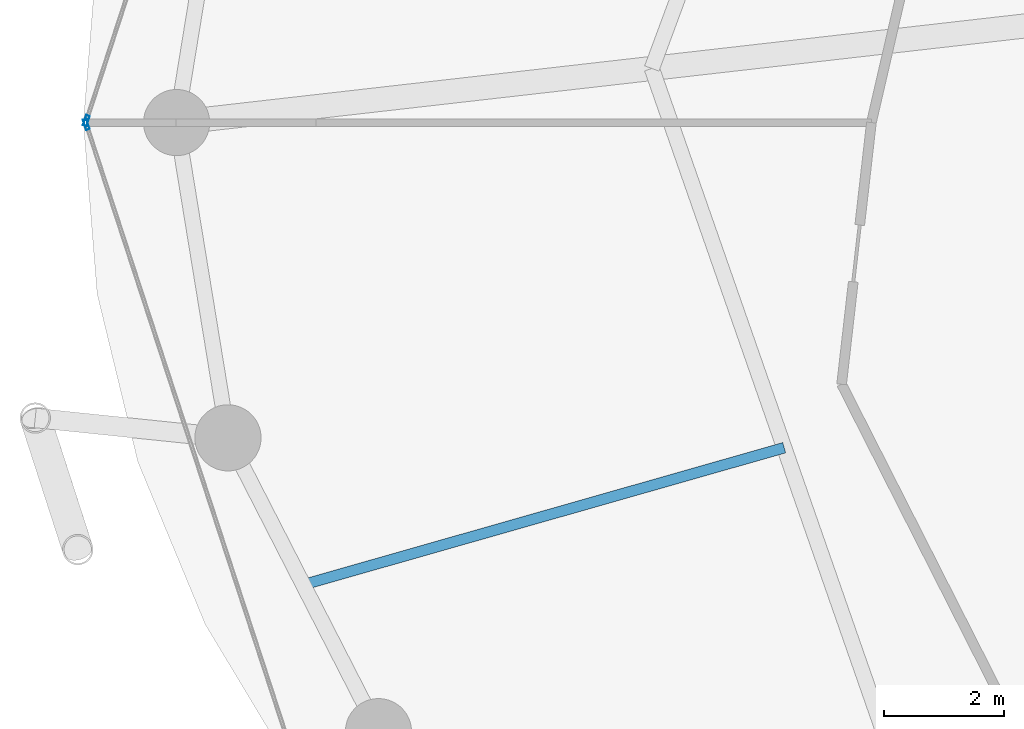
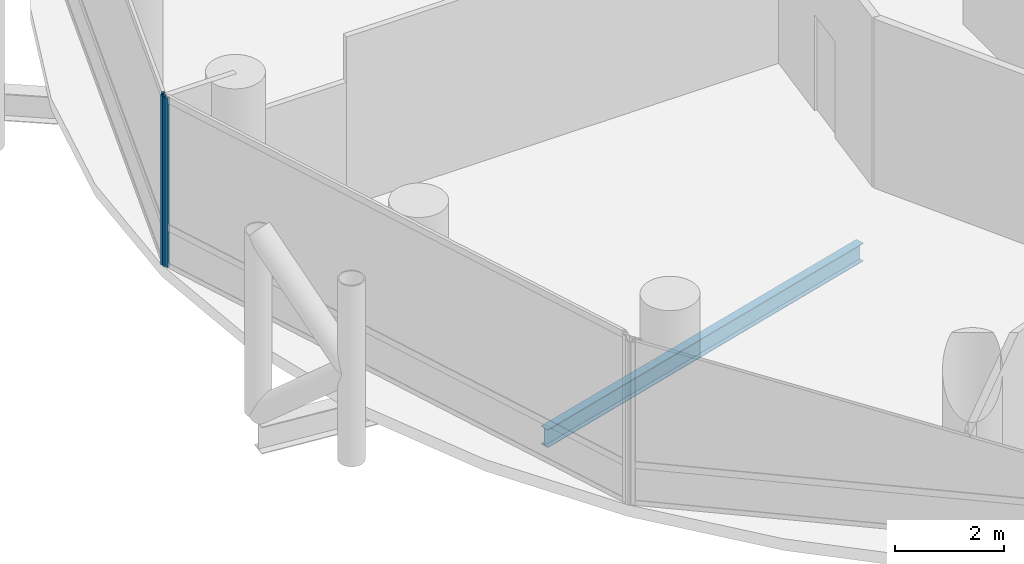
# One storey, part 6 of 25: 2 members, 1 beam, 2 elements without a shape of their own.
"""IFC4 building model written with IfcOpenShell, lengths in metres."""

import ifcopenshell
import ifcopenshell.guid

model = None  # the IFC model being written
_history = None  # IfcOwnerHistory: only IFC2X3 demands one
_inside = {}  # id of a spatial element -> (the spatial element, [elements in it])
_under = {}  # id of a project, library or spatial element -> (it, [spatial elements below it])
_declared = {}  # id of a project -> (the project, [libraries it declares])
_typed = {}  # id of a type object -> (the type object, [elements of that type])
_made_of = {}  # id of a material, layer set ... -> (it, [elements and type objects made of it])


def new_model(schema):
    """Start an empty IFC model of exactly this schema.

    Asked for "IFC4X3", IfcOpenShell would pick the latest addendum, in which some entities
    have other attributes; the version numbers below select the first issue.
    IFC2X3 requires an IfcOwnerHistory on every rooted entity: one is made here for all.
    """
    global model, _history
    if schema == "IFC4X3":
        model = ifcopenshell.file(schema_version=(4, 3, 0, 0))
    else:
        model = ifcopenshell.file(schema=schema)
    _inside.clear()
    _under.clear()
    _declared.clear()
    _typed.clear()
    _made_of.clear()
    _history = None
    if model.schema == "IFC2X3":
        org = make("IfcOrganization", Name="unknown")
        user = make(
            "IfcPersonAndOrganization",
            ThePerson=make("IfcPerson", FamilyName="unknown"),
            TheOrganization=org,
        )
        app = make(
            "IfcApplication",
            ApplicationDeveloper=org,
            Version="unknown",
            ApplicationFullName="unknown",
            ApplicationIdentifier="unknown",
        )
        _history = make(
            "IfcOwnerHistory",
            OwningUser=user,
            OwningApplication=app,
            ChangeAction="ADDED",
            CreationDate=0,
        )
    return model


def make(cls, **values):
    """One entity of the class cls with the attributes given. An attribute that is None is left unset."""
    return model.create_entity(
        cls, **{name: value for name, value in values.items() if value is not None}
    )


def rooted(cls, **values):
    """An entity with a GlobalId (a new one), such as an element, a storey or a relation."""
    return make(cls, GlobalId=ifcopenshell.guid.new(), OwnerHistory=_history, **values)


def si_unit(unit_type, name, prefix=None):
    """IfcSIUnit, for example si_unit("LENGTHUNIT", "METRE", prefix="MILLI")."""
    return make("IfcSIUnit", UnitType=unit_type, Prefix=prefix, Name=name)


def assignment(units):
    """IfcUnitAssignment: the units of a project."""
    return None if units is None else make("IfcUnitAssignment", Units=units)


def point(xyz):
    """IfcCartesianPoint."""
    return None if xyz is None else make("IfcCartesianPoint", Coordinates=xyz)


def direction(xyz):
    """IfcDirection."""
    return None if xyz is None else make("IfcDirection", DirectionRatios=xyz)


def frame(location, z_axis=None, x_axis=None):
    """IfcAxis2Placement3D, a coordinate frame: its origin and axes. An axis left out is left unset."""
    return make(
        "IfcAxis2Placement3D",
        Location=point(location),
        Axis=direction(z_axis),
        RefDirection=direction(x_axis),
    )


def frame_2d(location, x_axis=None):
    """IfcAxis2Placement2D, a coordinate frame in the plane: its origin and x axis."""
    return make(
        "IfcAxis2Placement2D", Location=point(location), RefDirection=direction(x_axis)
    )


def origin():
    """The frame at (0, 0, 0) with its axes left unset."""
    return frame((0.0, 0.0, 0.0))


def origin_2d():
    """The frame at (0, 0) in the plane with its x axis left unset."""
    return frame_2d((0.0, 0.0))


def place(relative_to, where):
    """IfcLocalPlacement: puts the frame where relative to a parent placement (None: the world)."""
    return make(
        "IfcLocalPlacement", PlacementRelTo=relative_to, RelativePlacement=where
    )


def context(
    kind, dimensions, precision=None, world=None, true_north=None, identifier=None
):
    """IfcGeometricRepresentationContext, for example the 3D "Model" context."""
    return make(
        "IfcGeometricRepresentationContext",
        ContextIdentifier=identifier,
        ContextType=kind,
        CoordinateSpaceDimension=dimensions,
        Precision=precision,
        WorldCoordinateSystem=world,
        TrueNorth=true_north,
    )


def subcontext(parent, identifier, kind, view, scale=None):
    """IfcGeometricRepresentationSubContext, for example "Body" below "Model"."""
    return make(
        "IfcGeometricRepresentationSubContext",
        ContextIdentifier=identifier,
        ContextType=kind,
        ParentContext=parent,
        TargetScale=scale,
        TargetView=view,
    )


def project(units=None, contexts=None):
    """IfcProject with its units and contexts."""
    return rooted(
        "IfcProject",
        Name="project",
        RepresentationContexts=contexts,
        UnitsInContext=assignment(units),
    )


def spatial(cls, under=None, at=None, **own):
    """A site, building, storey or space (cls), placed at a placement, below another one or the project."""
    s = rooted(cls, ObjectPlacement=at, **own)
    if under is not None:
        _under.setdefault(under.id(), (under, []))[1].append(s)
    return s


def profile(cls, at=None, kind="AREA", **sizes):
    """A parametric profile (cls). Its sizes go by their IFC names, for example OverallWidth=200.0."""
    return make(cls, ProfileType=kind, Position=at, **sizes)


def hollow_rectangle(**sizes):
    """IfcRectangleHollowProfileDef."""
    return profile("IfcRectangleHollowProfileDef", **sizes)


def i_section(**sizes):
    """IfcIShapeProfileDef."""
    return profile("IfcIShapeProfileDef", **sizes)


def extrude(swept, where, along, depth):
    """IfcExtrudedAreaSolid: the profile swept, set in the frame where, extruded along a direction by depth."""
    return make(
        "IfcExtrudedAreaSolid",
        SweptArea=swept,
        Position=where,
        ExtrudedDirection=direction(along),
        Depth=depth,
    )


def shape(context_of_items, identifier, shape_type, items):
    """IfcShapeRepresentation: the items that make up one representation, for example the "Body"."""
    return make(
        "IfcShapeRepresentation",
        ContextOfItems=context_of_items,
        RepresentationIdentifier=identifier,
        RepresentationType=shape_type,
        Items=items,
    )


def material(Name=None, Category=None):
    """IfcMaterial."""
    return make("IfcMaterial", Name=Name, Category=Category)


def layer(
    of_material, thickness, ventilated=None, Name=None, Category=None, Priority=None
):
    """IfcMaterialLayer: one layer of a wall or slab, of a material (None: an air gap)."""
    return make(
        "IfcMaterialLayer",
        Material=of_material,
        LayerThickness=thickness,
        IsVentilated=ventilated,
        Name=Name,
        Category=Category,
        Priority=Priority,
    )


def layer_set(layers, Name=None):
    """IfcMaterialLayerSet."""
    return make("IfcMaterialLayerSet", MaterialLayers=layers, LayerSetName=Name)


def material_profile(
    of_material, cross_section, Name=None, Category=None, Priority=None
):
    """IfcMaterialProfile: a cross section and its material."""
    return make(
        "IfcMaterialProfile",
        Name=Name,
        Material=of_material,
        Profile=cross_section,
        Priority=Priority,
        Category=Category,
    )


def profile_set(profiles, Name=None, composite=None):
    """IfcMaterialProfileSet."""
    return make(
        "IfcMaterialProfileSet",
        Name=Name,
        MaterialProfiles=profiles,
        CompositeProfile=composite,
    )


def made_of(thing, what):
    """Note that an element or type object is made of a material, layer set ...; save() writes the relation."""
    if what is not None:
        _made_of.setdefault(what.id(), (what, []))[1].append(thing)
    return thing


def type_object(cls, material=None, **own):
    """A type object (cls), such as IfcWallType, which elements share."""
    return made_of(rooted(cls, **own), material)


def element(
    cls,
    number,
    at=None,
    inside=None,
    cuts=None,
    type_object=None,
    material=None,
    context=None,
    identifier="Body",
    shape_type=None,
    held_by="IfcProductDefinitionShape",
    body=None,
    shapes=None,
    **own,
):
    """One element of the class cls, such as IfcWall. Its Tag is "e" and its number.

    at: its placement. inside: the storey or other place that contains it. cuts: it is an
    opening in that element (IfcRelVoidsElement). A single representation is given by context,
    identifier, shape_type and body (its items); several are given by shapes. held_by: the class
    of the entity that holds the representations. save() writes the other relations.
    """
    e = rooted(cls, Tag="e%d" % number, ObjectPlacement=at, **own)
    if body is not None:
        shapes = [shape(context, identifier, shape_type, body)]
    if shapes is not None:
        e.Representation = make(held_by, Representations=shapes)
    if inside is not None:
        _inside.setdefault(inside.id(), (inside, []))[1].append(e)
    if cuts is not None:
        rooted(
            "IfcRelVoidsElement", RelatingBuildingElement=cuts, RelatedOpeningElement=e
        )
    if type_object is not None:
        _typed.setdefault(type_object.id(), (type_object, []))[1].append(e)
    return made_of(e, material)


def aggregate(whole, parts):
    """IfcRelAggregates: a whole, such as a stair, and the parts it consists of."""
    return rooted("IfcRelAggregates", RelatingObject=whole, RelatedObjects=parts)


def save(model, path):
    """Write the relations noted so far, then the file.

    IfcRelAggregates (storeys below a building ...), IfcRelContainedInSpatialStructure (elements
    in a storey), IfcRelDefinesByType, IfcRelAssociatesMaterial and IfcRelDeclares: one each for
    every whole, place, type object, material and project.
    """
    for whole, parts in _under.values():
        aggregate(whole, parts)
    for where, things in _inside.values():
        rooted(
            "IfcRelContainedInSpatialStructure",
            RelatedElements=things,
            RelatingStructure=where,
        )
    for kind, things in _typed.values():
        rooted("IfcRelDefinesByType", RelatedObjects=things, RelatingType=kind)
    for what, things in _made_of.values():
        rooted("IfcRelAssociatesMaterial", RelatedObjects=things, RelatingMaterial=what)
    for by, libraries in _declared.values():
        rooted("IfcRelDeclares", RelatingContext=by, RelatedDefinitions=libraries)
    model.write(path)


model = new_model("IFC4")

# Units and contexts
model_context = context("Model", 3, precision=1e-05, world=origin(), true_north=direction((0.0, 1.0)))
body_context = subcontext(model_context, "Body", "Model", "MODEL_VIEW")
ifc_project = project(units=[si_unit("LENGTHUNIT", "METRE"), si_unit("AREAUNIT", "SQUARE_METRE"), si_unit("VOLUMEUNIT", "CUBIC_METRE"), si_unit("PLANEANGLEUNIT", "RADIAN"), si_unit("MASSUNIT", "GRAM", prefix="KILO")], contexts=[model_context])

# Site, building, storey
site_placement = place(None, origin())
site = spatial("IfcSite", under=ifc_project, at=site_placement, CompositionType="ELEMENT")
building_placement = place(site_placement, origin())
building = spatial("IfcBuilding", under=site, at=building_placement, Name="Nuhasar Tower", CompositionType="ELEMENT")
storey_placement = place(building_placement, frame((0.0, 0.0, 45.300048828125)))
storey = spatial("IfcBuildingStorey", under=building, at=storey_placement, Name="L10", CompositionType="ELEMENT", Elevation=45.300048828125)

# Beam
ifc_material_1 = material(Name="Steel S355", Category="steel")
ifc_material_profile_1 = material_profile(ifc_material_1, i_section(OverallWidth=0.177978515625, OverallDepth=0.406005859375, WebThickness=0.0078125, FlangeThickness=0.0126953125, at=origin_2d()), Name="W16X40")
ifc_profile_set_1 = profile_set([ifc_material_profile_1], Name="Steel S355")
beam_type = type_object("IfcBeamType", Name="BM-JST-W16X40", PredefinedType="JOIST", material=ifc_profile_set_1)
beam_placement = place(storey_placement, frame((24.051025390625, 21.39501953125, -0.463134765625), z_axis=(-0.961730884496, -0.273995813484, 0.0), x_axis=(0.273995813484, -0.961730884496, 0.0)))
element("IfcBeam", 1, at=beam_placement, inside=storey, type_object=beam_type, Name="L10 Secondary Floor Joist 08", PredefinedType="JOIST", context=body_context, shape_type="SweptSolid", body=[
    extrude(i_section(OverallWidth=0.177978515625, OverallDepth=0.406005859375, WebThickness=0.0078125, FlangeThickness=0.0126953125, at=origin_2d()), origin(), (0.0, 0.0, 1.0), 8.314208984375),
])

# Curtain wall, member
ifc_material_2 = material(Name="Aluminium 6063-T6", Category="aluminium")
ifc_layer = layer(ifc_material_2, 0.199951171875)
ifc_layer_set = layer_set([ifc_layer], Name="Aluminium 6063-T6")
curtain_wall_type = type_object("IfcCurtainWallType", Name="CW-Z1-OFF", PredefinedType="NOTDEFINED", material=ifc_layer_set)
curtain_wall_1_placement = place(storey_placement, origin())
curtain_wall_1 = element("IfcCurtainWall", 2, at=curtain_wall_1_placement, inside=storey, type_object=curtain_wall_type, Name="L10 Unitised Curtain Wall 06", PredefinedType="NOTDEFINED")
ifc_material_profile_2 = material_profile(ifc_material_2, hollow_rectangle(XDim=0.06494140625, YDim=0.179931640625, WallThickness=0.0048828125, at=origin_2d()), Name="CWM-2")
ifc_profile_set_2 = profile_set([ifc_material_profile_2], Name="Aluminium 6063-T6")
member_type = type_object("IfcMemberType", Name="CW-MUL-S2", PredefinedType="MULLION", material=ifc_profile_set_2)
member_1_placement = place(storey_placement, frame((12.4501953125, 26.830810546875, 0.0), z_axis=(0.0, 0.0, 1.0), x_axis=(0.950467534571, -0.310823849997, 0.0)))
member_1 = element("IfcMember", 3, at=member_1_placement, type_object=member_type, Name="CW-Z1 mullion 2", PredefinedType="MULLION", context=body_context, shape_type="SweptSolid", body=[
    extrude(hollow_rectangle(XDim=0.06494140625, YDim=0.179931640625, WallThickness=0.0048828125, at=origin_2d()), origin(), (0.0, 0.0, 1.0), 3.7900390625),
])
aggregate(curtain_wall_1, [member_1])

curtain_wall_2_placement = place(storey_placement, origin())
curtain_wall_2 = element("IfcCurtainWall", 4, at=curtain_wall_2_placement, inside=storey, type_object=curtain_wall_type, Name="L10 Unitised Curtain Wall 07", PredefinedType="NOTDEFINED")
member_2_placement = place(storey_placement, frame((12.4501953125, 26.76904296875, 0.0), z_axis=(0.0, 0.0, 1.0), x_axis=(0.950467534571, 0.310823849997, 0.0)))
member_2 = element("IfcMember", 5, at=member_2_placement, type_object=member_type, Name="CW-Z1 mullion 1", PredefinedType="MULLION", context=body_context, shape_type="SweptSolid", body=[
    extrude(hollow_rectangle(XDim=0.06494140625, YDim=0.179931640625, WallThickness=0.0048828125, at=origin_2d()), origin(), (0.0, 0.0, 1.0), 3.7900390625),
])
aggregate(curtain_wall_2, [member_2])

save(model, "model.ifc")
